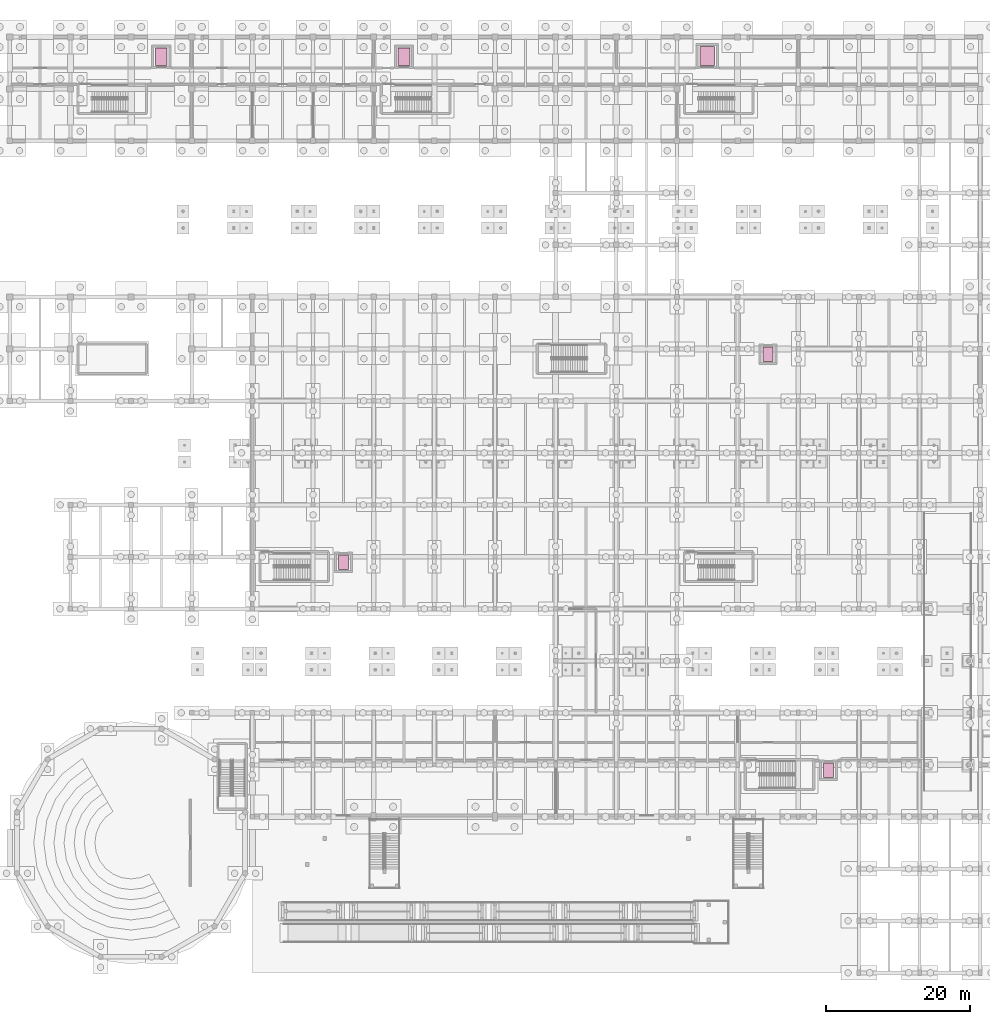
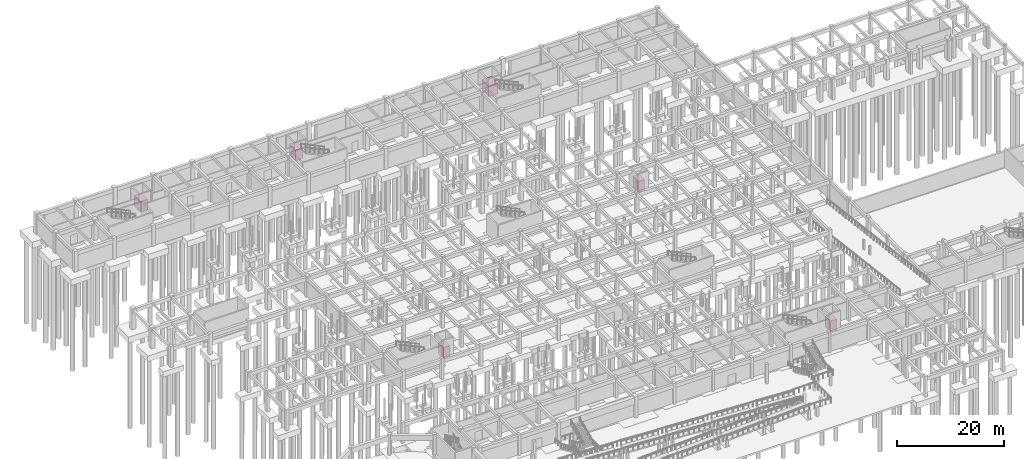
# One storey, part 80 of 80: 6 transport elements.
"""IFC4 building model written with IfcOpenShell, lengths in metres."""

from ifc_helpers import new_model, si_unit, direction, frame, origin, origin_2d, place, context, subcontext, project, spatial, rectangle, extrude, material, type_object, element, save


model = new_model("IFC4")

# Units and contexts
model_context = context("Model", 3, precision=1e-05, world=origin(), true_north=direction((0.0, 1.0)))
body_context = subcontext(model_context, "Body", "Model", "MODEL_VIEW")
ifc_project = project(units=[si_unit("LENGTHUNIT", "METRE"), si_unit("AREAUNIT", "SQUARE_METRE"), si_unit("VOLUMEUNIT", "CUBIC_METRE"), si_unit("PLANEANGLEUNIT", "RADIAN"), si_unit("MASSUNIT", "GRAM", prefix="KILO")], contexts=[model_context])

# Site, building, storey
site_placement = place(None, origin())
site = spatial("IfcSite", under=ifc_project, at=site_placement, CompositionType="ELEMENT")
building_placement = place(site_placement, origin())
building = spatial("IfcBuilding", under=site, at=building_placement, Name="Malvenik Polytechnic", CompositionType="ELEMENT")
storey_placement = place(building_placement, frame((0.0, 0.0, -4.800048828125)))
storey = spatial("IfcBuildingStorey", under=building, at=storey_placement, Name="B1", CompositionType="ELEMENT", Elevation=-4.800048828125)

# Transport elements
ifc_material = material(Name="Brushed stainless steel elevator cab assembly", Category="steel")
transport_element_type_1 = type_object("IfcTransportElementType", Name="ARC-LFT-LG-01", PredefinedType="ELEVATOR", material=ifc_material)
transport_element_1_placement = place(storey_placement, frame((96.60009765625, 126.949951171875, 0.0), z_axis=(0.0, 0.0, 1.0), x_axis=(1.0, 0.0, 0.0)))
element("IfcTransportElement", 1, at=transport_element_1_placement, inside=storey, type_object=transport_element_type_1, Name="Elevator Car LG-01", PredefinedType="ELEVATOR", context=body_context, shape_type="SweptSolid", body=[
    extrude(rectangle(XDim=2.0, YDim=2.60009765625, at=origin_2d()), origin(), (0.0, 0.0, 1.0), 2.449951171875),
])
transport_element_type_2 = type_object("IfcTransportElementType", Name="ARC-LFT-LP-02", PredefinedType="ELEVATOR", material=ifc_material)
transport_element_2_placement = place(storey_placement, frame((105.0, 85.64990234375, 0.0), z_axis=(0.0, 0.0, 1.0), x_axis=(1.0, 0.0, 0.0)))
element("IfcTransportElement", 2, at=transport_element_2_placement, inside=storey, type_object=transport_element_type_2, Name="Elevator Car LP-02", PredefinedType="ELEVATOR", context=body_context, shape_type="SweptSolid", body=[
    extrude(rectangle(XDim=1.39990234375, YDim=2.0, at=origin_2d()), origin(), (0.0, 0.0, 1.0), 2.449951171875),
])
transport_element_type_3 = type_object("IfcTransportElementType", Name="ARC-LFT-LP-03", PredefinedType="ELEVATOR", material=ifc_material)
transport_element_3_placement = place(storey_placement, frame((46.199951171875, 56.85009765625, 0.0), z_axis=(0.0, 0.0, 1.0), x_axis=(1.0, 0.0, 0.0)))
element("IfcTransportElement", 3, at=transport_element_3_placement, inside=storey, type_object=transport_element_type_3, Name="Elevator Car LP-03", PredefinedType="ELEVATOR", context=body_context, shape_type="SweptSolid", body=[
    extrude(rectangle(XDim=1.39990234375, YDim=2.0, at=origin_2d()), origin(), (0.0, 0.0, 1.0), 2.449951171875),
])
transport_element_type_4 = type_object("IfcTransportElementType", Name="ARC-LFT-LP-04", PredefinedType="ELEVATOR", material=ifc_material)
transport_element_4_placement = place(storey_placement, frame((113.39990234375, 28.050048828125, 0.0), z_axis=(0.0, 0.0, 1.0), x_axis=(1.0, 0.0, 0.0)))
element("IfcTransportElement", 4, at=transport_element_4_placement, inside=storey, type_object=transport_element_type_4, Name="Elevator Car LP-04", PredefinedType="ELEVATOR", context=body_context, shape_type="SweptSolid", body=[
    extrude(rectangle(XDim=1.39990234375, YDim=2.0, at=origin_2d()), origin(), (0.0, 0.0, 1.0), 2.449951171875),
])
transport_element_type_5 = type_object("IfcTransportElementType", Name="ARC-LFT-LS-01", PredefinedType="ELEVATOR", material=ifc_material)
transport_element_5_placement = place(storey_placement, frame((21.0, 126.85009765625, 0.0), z_axis=(0.0, 0.0, 1.0), x_axis=(1.0, 0.0, 0.0)))
element("IfcTransportElement", 5, at=transport_element_5_placement, inside=storey, type_object=transport_element_type_5, Name="Elevator Car LS-01", PredefinedType="ELEVATOR", context=body_context, shape_type="SweptSolid", body=[
    extrude(rectangle(XDim=1.60009765625, YDim=2.39990234375, at=origin_2d()), origin(), (0.0, 0.0, 1.0), 2.449951171875),
])
transport_element_type_6 = type_object("IfcTransportElementType", Name="ARC-LFT-LS-02", PredefinedType="ELEVATOR", material=ifc_material)
transport_element_6_placement = place(storey_placement, frame((54.60009765625, 126.85009765625, 0.0), z_axis=(0.0, 0.0, 1.0), x_axis=(1.0, 0.0, 0.0)))
element("IfcTransportElement", 6, at=transport_element_6_placement, inside=storey, type_object=transport_element_type_6, Name="Elevator Car LS-02", PredefinedType="ELEVATOR", context=body_context, shape_type="SweptSolid", body=[
    extrude(rectangle(XDim=1.60009765625, YDim=2.39990234375, at=origin_2d()), origin(), (0.0, 0.0, 1.0), 2.449951171875),
])

save(model, "model.ifc")
